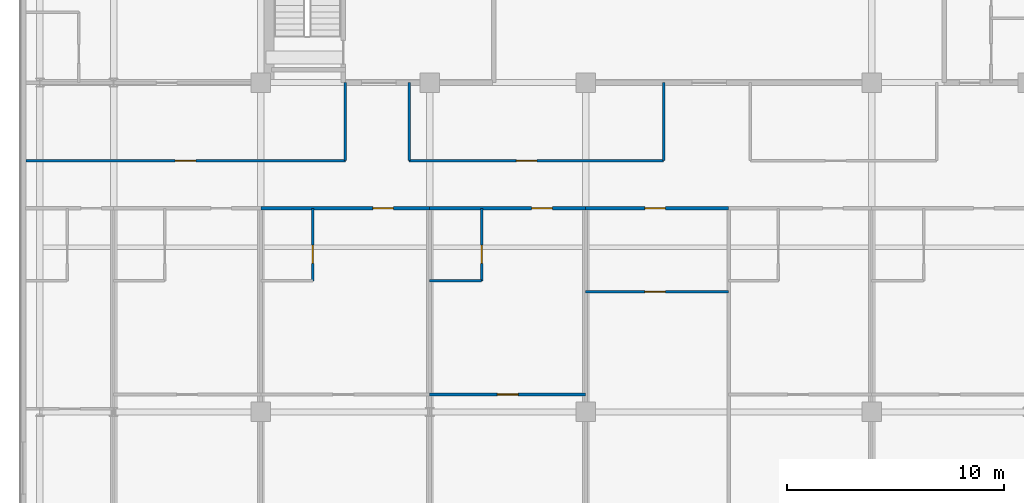
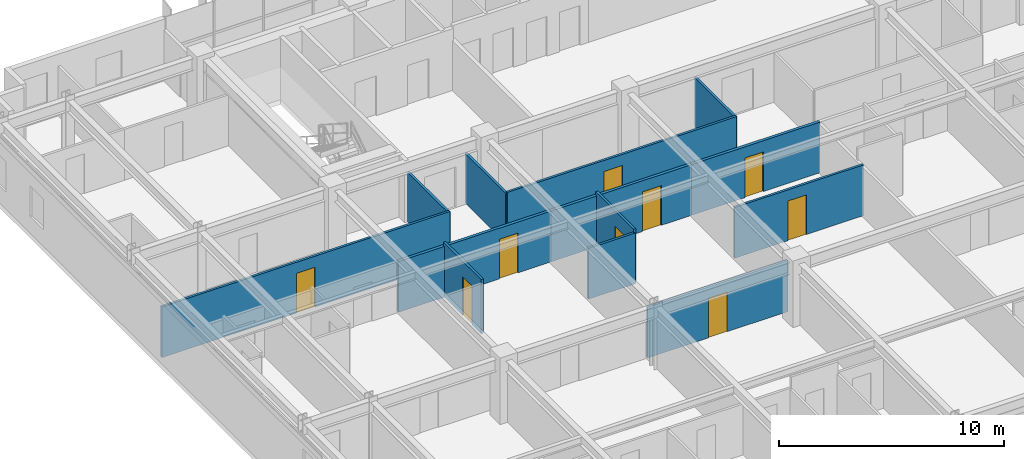
# One storey, part 16 of 24: 13 walls, 9 doors, 9 openings.
"""IFC4 building model written with IfcOpenShell, lengths in metres."""

from ifc_helpers import new_model, si_unit, direction, frame, frame_2d, origin, place, context, subcontext, project, spatial, rectangle, extrude, source, transform, mapped, material, layer, layer_set, type_object, element, fill, save


model = new_model("IFC4")

# Units and contexts
model_context = context("Model", 3, precision=1e-05, world=origin(), true_north=direction((0.0, 1.0)))
body_context = subcontext(model_context, "Body", "Model", "MODEL_VIEW")
ifc_project = project(units=[si_unit("LENGTHUNIT", "METRE"), si_unit("AREAUNIT", "SQUARE_METRE"), si_unit("VOLUMEUNIT", "CUBIC_METRE"), si_unit("PLANEANGLEUNIT", "RADIAN"), si_unit("MASSUNIT", "GRAM", prefix="KILO")], contexts=[model_context])

# Site, building, storey
site_placement = place(None, origin())
site = spatial("IfcSite", under=ifc_project, at=site_placement, CompositionType="ELEMENT")
building_placement = place(site_placement, origin())
building = spatial("IfcBuilding", under=site, at=building_placement, Name="Trelvane Seafront Commons", CompositionType="ELEMENT")
storey_placement = place(building_placement, frame((0.0, 0.0, 30.699951171875)))
storey = spatial("IfcBuildingStorey", under=building, at=storey_placement, Name="L07", CompositionType="ELEMENT", Elevation=30.699951171875)

# Wall, opening, door
ifc_material_1 = material(Name="Gypsum Drywall Acoustic Partition")
ifc_layer_1 = layer(ifc_material_1, 0.1201171875, Name="ARCH-WALL-PART120")
ifc_layer_set_1 = layer_set([ifc_layer_1], Name="Gypsum Drywall Acoustic Partition")
wall_type_1 = type_object("IfcWallType", Name="ARCH-WALL-PART120", PredefinedType="PARTITIONING", material=ifc_layer_set_1)
wall_1_placement = place(storey_placement, frame((4.75, 29.800048828125, 0.0), z_axis=(0.0, 0.0, 1.0), x_axis=(1.0, 0.0, 0.0)))
wall_1 = element("IfcWall", 1, at=wall_1_placement, inside=storey, type_object=wall_type_1, Name="W-L07-CORR-N-W-039", PredefinedType="PARTITIONING", context=body_context, shape_type="SweptSolid", body=[
    extrude(rectangle(XDim=14.75, YDim=0.1201171875, at=frame_2d((7.375, 0.0))), origin(), (0.0, 0.0, 1.0), 2.751953125),
])
opening_1_placement = place(wall_1_placement, frame((6.89990234375, 0.0, 0.0)))
opening_1 = element("IfcOpeningElement", 2, at=opening_1_placement, cuts=wall_1, Name="Opening D-L07-19", PredefinedType="OPENING", context=body_context, shape_type="SweptSolid", body=[
    extrude(rectangle(XDim=0.949951171875, YDim=2.14990234375, at=frame_2d((0.47509765625, 1.074951171875))), frame((0.0, 0.070068359375, 0.0), z_axis=(0.0, -1.0, 0.0), x_axis=(1.0, 0.0, 0.0)), (0.0, 0.0, 1.0), 0.14013671875),
])
ifc_material_2 = material(Name="Acoustic timber door leaf", Category="wood")
door_type_1 = type_object("IfcDoorType", Name="ARCH-DR-INT950", OperationType="NOTDEFINED", PredefinedType="DOOR", material=ifc_material_2)
shared_shape_1 = source(origin(), body_context, "Body", "SweptSolid", [
    extrude(rectangle(XDim=0.949951171875, YDim=2.14990234375, at=frame_2d((0.47509765625, 1.074951171875))), frame((0.0, 0.02490234375, 0.0), z_axis=(0.0, -1.0, 0.0), x_axis=(1.0, 0.0, 0.0)), (0.0, 0.0, 1.0), 0.050048828125),
])
door_1_placement = place(opening_1_placement, origin())
door_1 = element("IfcDoor", 3, at=door_1_placement, inside=storey, type_object=door_type_1, Name="L07 Door 19", OperationType="SINGLE_SWING_LEFT", OverallHeight=2.14990234375, OverallWidth=0.949951171875, PredefinedType="DOOR", context=body_context, shape_type="MappedRepresentation", body=[
    mapped(shared_shape_1, transform((0.0, 0.0, 0.0), x_axis=(1.0, 0.0, 0.0), y_axis=(0.0, 1.0, 0.0), z_axis=(0.0, 0.0, 1.0), scale=1.0)),
])
fill(opening_1, door_1)

wall_2_placement = place(storey_placement, frame((22.449951171875, 29.800048828125, 0.0), z_axis=(0.0, 0.0, 1.0), x_axis=(1.0, 0.0, 0.0)))
wall_2 = element("IfcWall", 4, at=wall_2_placement, inside=storey, type_object=wall_type_1, Name="W-L07-CORR-N-M1-040", PredefinedType="PARTITIONING", context=body_context, shape_type="SweptSolid", body=[
    extrude(rectangle(XDim=11.75, YDim=0.1201171875, at=frame_2d((5.875, 0.0))), origin(), (0.0, 0.0, 1.0), 2.751953125),
])
opening_2_placement = place(wall_2_placement, frame((4.944091796875, 0.0, 0.0)))
opening_2 = element("IfcOpeningElement", 5, at=opening_2_placement, cuts=wall_2, Name="Opening D-L07-20", PredefinedType="OPENING", context=body_context, shape_type="SweptSolid", body=[
    extrude(rectangle(XDim=0.949951171875, YDim=2.14990234375, at=frame_2d((0.47509765625, 1.074951171875))), frame((0.0, 0.070068359375, 0.0), z_axis=(0.0, -1.0, 0.0), x_axis=(1.0, 0.0, 0.0)), (0.0, 0.0, 1.0), 0.14013671875),
])
door_2_placement = place(opening_2_placement, origin())
door_2 = element("IfcDoor", 6, at=door_2_placement, inside=storey, type_object=door_type_1, Name="L07 Door 20", OperationType="SINGLE_SWING_RIGHT", OverallHeight=2.14990234375, OverallWidth=0.949951171875, PredefinedType="DOOR", context=body_context, shape_type="MappedRepresentation", body=[
    mapped(shared_shape_1, transform((0.0, 0.0, 0.0), x_axis=(1.0, 0.0, 0.0), y_axis=(0.0, 1.0, 0.0), z_axis=(0.0, 0.0, 1.0), scale=1.0)),
])
fill(opening_2, door_2)

# Walls
for number, where, z_axis, x_axis, name in (
    (7, (19.5, 29.800048828125, 0.0), (0.0, 0.0, 1.0), (0.0, 1.0, 0.0), "W-L07-N-SPUR-W1-044"),
    (8, (22.449951171875, 29.800048828125, 0.0), (0.0, 0.0, 1.0), (0.0, 1.0, 0.0), "W-L07-N-SPUR-W2-045"),
    (9, (34.199951171875, 29.800048828125, 0.0), (0.0, 0.0, 1.0), (0.0, 1.0, 0.0), "W-L07-N-SPUR-M1-046"),
):
    element("IfcWall", number, at=place(storey_placement, frame(where, z_axis=z_axis, x_axis=x_axis)), inside=storey, type_object=wall_type_1, Name=name, PredefinedType="PARTITIONING", context=body_context, shape_type="SweptSolid", body=[
        extrude(rectangle(XDim=3.599853515625, YDim=0.1201171875, at=frame_2d((1.7998046875, 0.0))), origin(), (0.0, 0.0, 1.0), 2.68994140625),
    ])

# Wall, opening, door
wall_3_placement = place(storey_placement, frame((18.0, 24.25, 0.0), z_axis=(0.0, 0.0, 1.0), x_axis=(0.0, 1.0, 0.0)))
wall_3 = element("IfcWall", 10, at=wall_3_placement, inside=storey, type_object=wall_type_1, Name="W-L07-U3-BE-087", PredefinedType="PARTITIONING", context=body_context, shape_type="SweptSolid", body=[
    extrude(rectangle(XDim=3.35009765625, YDim=0.1201171875, at=frame_2d((1.675048828125, 0.0))), origin(), (0.0, 0.0, 1.0), 2.93994140625),
])
opening_3_placement = place(wall_3_placement, frame((0.800048828125, 0.0, 0.0)))
opening_3 = element("IfcOpeningElement", 11, at=opening_3_placement, cuts=wall_3, Name="Opening D-L07-45", PredefinedType="OPENING", context=body_context, shape_type="SweptSolid", body=[
    extrude(rectangle(XDim=0.85009765625, YDim=2.10009765625, at=frame_2d((0.425048828125, 1.050048828125))), frame((0.0, 0.070068359375, 0.0), z_axis=(0.0, -1.0, 0.0), x_axis=(1.0, 0.0, 0.0)), (0.0, 0.0, 1.0), 0.14013671875),
])
door_type_2 = type_object("IfcDoorType", Name="ARCH-DR-INT850", OperationType="NOTDEFINED", PredefinedType="DOOR", material=ifc_material_2)
shared_shape_2 = source(origin(), body_context, "Body", "SweptSolid", [
    extrude(rectangle(XDim=0.85009765625, YDim=2.10009765625, at=frame_2d((0.425048828125, 1.050048828125))), frame((0.0, 0.02490234375, 0.0), z_axis=(0.0, -1.0, 0.0), x_axis=(1.0, 0.0, 0.0)), (0.0, 0.0, 1.0), 0.050048828125),
])
door_3_placement = place(opening_3_placement, origin())
door_3 = element("IfcDoor", 12, at=door_3_placement, inside=storey, type_object=door_type_2, Name="L07 Door 45", OperationType="SINGLE_SWING_LEFT", OverallHeight=2.10009765625, OverallWidth=0.85009765625, PredefinedType="DOOR", context=body_context, shape_type="MappedRepresentation", body=[
    mapped(shared_shape_2, transform((0.0, 0.0, 0.0), x_axis=(1.0, 0.0, 0.0), y_axis=(0.0, 1.0, 0.0), z_axis=(0.0, 0.0, 1.0), scale=1.0)),
])
fill(opening_3, door_3)

wall_4_placement = place(storey_placement, frame((23.39990234375, 19.0, 0.0), z_axis=(0.0, 0.0, 1.0), x_axis=(1.0, 0.0, 0.0)))
wall_4 = element("IfcWall", 13, at=wall_4_placement, inside=storey, type_object=wall_type_1, Name="W-L07-U4-KL-093", PredefinedType="PARTITIONING", context=body_context, shape_type="SweptSolid", body=[
    extrude(rectangle(XDim=7.2001953125, YDim=0.1201171875, at=frame_2d((3.60009765625, 0.0))), origin(), (0.0, 0.0, 1.0), 2.751953125),
])
opening_4_placement = place(wall_4_placement, frame((3.125, 0.0, 0.0)))
opening_4 = element("IfcOpeningElement", 14, at=opening_4_placement, cuts=wall_4, Name="Opening D-L07-49", PredefinedType="OPENING", context=body_context, shape_type="SweptSolid", body=[
    extrude(rectangle(XDim=0.949951171875, YDim=2.14990234375, at=frame_2d((0.47509765625, 1.074951171875))), frame((0.0, 0.070068359375, 0.0), z_axis=(0.0, -1.0, 0.0), x_axis=(1.0, 0.0, 0.0)), (0.0, 0.0, 1.0), 0.14013671875),
])
door_4_placement = place(opening_4_placement, origin())
door_4 = element("IfcDoor", 15, at=door_4_placement, inside=storey, type_object=door_type_1, Name="L07 Door 49", OperationType="SINGLE_SWING_LEFT", OverallHeight=2.14990234375, OverallWidth=0.949951171875, PredefinedType="DOOR", context=body_context, shape_type="MappedRepresentation", body=[
    mapped(shared_shape_1, transform((0.0, 0.0, 0.0), x_axis=(1.0, 0.0, 0.0), y_axis=(0.0, 1.0, 0.0), z_axis=(0.0, 0.0, 1.0), scale=1.0)),
])
fill(opening_4, door_4)

wall_5_placement = place(storey_placement, frame((25.800048828125, 24.25, 0.0), z_axis=(0.0, 0.0, 1.0), x_axis=(0.0, 1.0, 0.0)))
wall_5 = element("IfcWall", 16, at=wall_5_placement, inside=storey, type_object=wall_type_1, Name="W-L07-U4-BE-094", PredefinedType="PARTITIONING", context=body_context, shape_type="SweptSolid", body=[
    extrude(rectangle(XDim=3.35009765625, YDim=0.1201171875, at=frame_2d((1.675048828125, 0.0))), origin(), (0.0, 0.0, 1.0), 2.93994140625),
])
opening_5_placement = place(wall_5_placement, frame((0.800048828125, 0.0, 0.0)))
opening_5 = element("IfcOpeningElement", 17, at=opening_5_placement, cuts=wall_5, Name="Opening D-L07-50", PredefinedType="OPENING", context=body_context, shape_type="SweptSolid", body=[
    extrude(rectangle(XDim=0.85009765625, YDim=2.10009765625, at=frame_2d((0.425048828125, 1.050048828125))), frame((0.0, 0.070068359375, 0.0), z_axis=(0.0, -1.0, 0.0), x_axis=(1.0, 0.0, 0.0)), (0.0, 0.0, 1.0), 0.14013671875),
])
door_5_placement = place(opening_5_placement, origin())
door_5 = element("IfcDoor", 18, at=door_5_placement, inside=storey, type_object=door_type_2, Name="L07 Door 50", OperationType="SINGLE_SWING_RIGHT", OverallHeight=2.10009765625, OverallWidth=0.85009765625, PredefinedType="DOOR", context=body_context, shape_type="MappedRepresentation", body=[
    mapped(shared_shape_2, transform((0.0, 0.0, 0.0), x_axis=(1.0, 0.0, 0.0), y_axis=(0.0, 1.0, 0.0), z_axis=(0.0, 0.0, 1.0), scale=1.0)),
])
fill(opening_5, door_5)

# Wall
wall_6_placement = place(storey_placement, frame((23.39990234375, 24.25, 0.0), z_axis=(0.0, 0.0, 1.0), x_axis=(1.0, 0.0, 0.0)))
element("IfcWall", 19, at=wall_6_placement, inside=storey, type_object=wall_type_1, Name="W-L07-U4-BS-095", PredefinedType="PARTITIONING", context=body_context, shape_type="SweptSolid", body=[
    extrude(rectangle(XDim=2.400146484375, YDim=0.1201171875, at=frame_2d((1.2001953125, 0.0))), origin(), (0.0, 0.0, 1.0), 2.751953125),
])

# Wall, opening, door
wall_7_placement = place(storey_placement, frame((30.60009765625, 23.75, 0.0), z_axis=(0.0, 0.0, 1.0), x_axis=(1.0, 0.0, 0.0)))
wall_7 = element("IfcWall", 20, at=wall_7_placement, inside=storey, type_object=wall_type_1, Name="W-L07-U5-DIV-103", PredefinedType="PARTITIONING", context=body_context, shape_type="SweptSolid", body=[
    extrude(rectangle(XDim=6.599853515625, YDim=0.1201171875, at=frame_2d((3.2998046875, 0.0))), origin(), (0.0, 0.0, 1.0), 2.751953125),
])
opening_6_placement = place(wall_7_placement, frame((2.73388671875, 0.0, 0.0)))
opening_6 = element("IfcOpeningElement", 21, at=opening_6_placement, cuts=wall_7, Name="Opening D-L07-56", PredefinedType="OPENING", context=body_context, shape_type="SweptSolid", body=[
    extrude(rectangle(XDim=0.949951171875, YDim=2.14990234375, at=frame_2d((0.47509765625, 1.074951171875))), frame((0.0, 0.070068359375, 0.0), z_axis=(0.0, -1.0, 0.0), x_axis=(1.0, 0.0, 0.0)), (0.0, 0.0, 1.0), 0.14013671875),
])
door_6_placement = place(opening_6_placement, origin())
door_6 = element("IfcDoor", 22, at=door_6_placement, inside=storey, type_object=door_type_1, Name="L07 Door 56", OperationType="SINGLE_SWING_RIGHT", OverallHeight=2.14990234375, OverallWidth=0.949951171875, PredefinedType="DOOR", context=body_context, shape_type="MappedRepresentation", body=[
    mapped(shared_shape_1, transform((0.0, 0.0, 0.0), x_axis=(1.0, 0.0, 0.0), y_axis=(0.0, 1.0, 0.0), z_axis=(0.0, 0.0, 1.0), scale=1.0)),
])
fill(opening_6, door_6)

ifc_layer_2 = layer(ifc_material_1, 0.14990234375, Name="ARCH-WALL-PART150")
ifc_layer_set_2 = layer_set([ifc_layer_2], Name="Gypsum Drywall Acoustic Partition")
wall_type_2 = type_object("IfcWallType", Name="ARCH-WALL-PART150", PredefinedType="PARTITIONING", material=ifc_layer_set_2)
wall_8_placement = place(storey_placement, frame((15.60009765625, 27.60009765625, 0.0), z_axis=(0.0, 0.0, 1.0), x_axis=(1.0, 0.0, 0.0)))
wall_8 = element("IfcWall", 23, at=wall_8_placement, inside=storey, type_object=wall_type_2, Name="W-L07-CS-BAY-3-089", PredefinedType="PARTITIONING", context=body_context, shape_type="SweptSolid", body=[
    extrude(rectangle(XDim=7.7998046875, YDim=0.14990234375, at=frame_2d((3.89990234375, 0.0))), origin(), (0.0, 0.0, 1.0), 2.751953125),
])
opening_7_placement = place(wall_8_placement, frame((5.172119140625, 0.0, 0.0)))
opening_7 = element("IfcOpeningElement", 24, at=opening_7_placement, cuts=wall_8, Name="Opening FD-L07-46", PredefinedType="OPENING", context=body_context, shape_type="SweptSolid", body=[
    extrude(rectangle(XDim=0.949951171875, YDim=2.14990234375, at=frame_2d((0.47509765625, 1.074951171875))), frame((0.0, 0.0849609375, 0.0), z_axis=(0.0, -1.0, 0.0), x_axis=(1.0, 0.0, 0.0)), (0.0, 0.0, 1.0), 0.169921875),
])
ifc_material_3 = material(Name="Powder-coated aluminium frame", Category="aluminium")
door_type_3 = type_object("IfcDoorType", Name="ARCH-DR-FD60-950", OperationType="NOTDEFINED", PredefinedType="DOOR", material=ifc_material_3)
door_7_placement = place(opening_7_placement, origin())
door_7 = element("IfcDoor", 25, at=door_7_placement, inside=storey, type_object=door_type_3, Name="L07 Unit 03 Entrance Door", OperationType="SINGLE_SWING_RIGHT", OverallHeight=2.14990234375, OverallWidth=0.949951171875, PredefinedType="DOOR", context=body_context, shape_type="MappedRepresentation", body=[
    mapped(shared_shape_1, transform((0.0, 0.0, 0.0), x_axis=(1.0, 0.0, 0.0), y_axis=(0.0, 1.0, 0.0), z_axis=(0.0, 0.0, 1.0), scale=1.0)),
])
fill(opening_7, door_7)

wall_9_placement = place(storey_placement, frame((23.39990234375, 27.60009765625, 0.0), z_axis=(0.0, 0.0, 1.0), x_axis=(1.0, 0.0, 0.0)))
wall_9 = element("IfcWall", 26, at=wall_9_placement, inside=storey, type_object=wall_type_2, Name="W-L07-CS-BAY-4-096", PredefinedType="PARTITIONING", context=body_context, shape_type="SweptSolid", body=[
    extrude(rectangle(XDim=7.2001953125, YDim=0.14990234375, at=frame_2d((3.60009765625, 0.0))), origin(), (0.0, 0.0, 1.0), 2.751953125),
])
opening_8_placement = place(wall_9_placement, frame((4.7060546875, 0.0, 0.0)))
opening_8 = element("IfcOpeningElement", 27, at=opening_8_placement, cuts=wall_9, Name="Opening FD-L07-51", PredefinedType="OPENING", context=body_context, shape_type="SweptSolid", body=[
    extrude(rectangle(XDim=0.949951171875, YDim=2.14990234375, at=frame_2d((0.47509765625, 1.074951171875))), frame((0.0, 0.0849609375, 0.0), z_axis=(0.0, -1.0, 0.0), x_axis=(1.0, 0.0, 0.0)), (0.0, 0.0, 1.0), 0.169921875),
])
door_8_placement = place(opening_8_placement, origin())
door_8 = element("IfcDoor", 28, at=door_8_placement, inside=storey, type_object=door_type_3, Name="L07 Unit 04 Entrance Door", OperationType="SINGLE_SWING_LEFT", OverallHeight=2.14990234375, OverallWidth=0.949951171875, PredefinedType="DOOR", context=body_context, shape_type="MappedRepresentation", body=[
    mapped(shared_shape_1, transform((0.0, 0.0, 0.0), x_axis=(1.0, 0.0, 0.0), y_axis=(0.0, 1.0, 0.0), z_axis=(0.0, 0.0, 1.0), scale=1.0)),
])
fill(opening_8, door_8)

wall_10_placement = place(storey_placement, frame((30.60009765625, 27.60009765625, 0.0), z_axis=(0.0, 0.0, 1.0), x_axis=(1.0, 0.0, 0.0)))
wall_10 = element("IfcWall", 29, at=wall_10_placement, inside=storey, type_object=wall_type_2, Name="W-L07-CS-BAY-5-102", PredefinedType="PARTITIONING", context=body_context, shape_type="SweptSolid", body=[
    extrude(rectangle(XDim=6.599853515625, YDim=0.14990234375, at=frame_2d((3.2998046875, 0.0))), origin(), (0.0, 0.0, 1.0), 2.751953125),
])
opening_9_placement = place(wall_10_placement, frame((2.73388671875, 0.0, 0.0)))
opening_9 = element("IfcOpeningElement", 30, at=opening_9_placement, cuts=wall_10, Name="Opening FD-L07-55", PredefinedType="OPENING", context=body_context, shape_type="SweptSolid", body=[
    extrude(rectangle(XDim=0.949951171875, YDim=2.14990234375, at=frame_2d((0.47509765625, 1.074951171875))), frame((0.0, 0.0849609375, 0.0), z_axis=(0.0, -1.0, 0.0), x_axis=(1.0, 0.0, 0.0)), (0.0, 0.0, 1.0), 0.169921875),
])
door_9_placement = place(opening_9_placement, origin())
door_9 = element("IfcDoor", 31, at=door_9_placement, inside=storey, type_object=door_type_3, Name="L07 Bay 05 Entrance Door", OperationType="SINGLE_SWING_LEFT", OverallHeight=2.14990234375, OverallWidth=0.949951171875, PredefinedType="DOOR", context=body_context, shape_type="MappedRepresentation", body=[
    mapped(shared_shape_1, transform((0.0, 0.0, 0.0), x_axis=(1.0, 0.0, 0.0), y_axis=(0.0, 1.0, 0.0), z_axis=(0.0, 0.0, 1.0), scale=1.0)),
])
fill(opening_9, door_9)

save(model, "model.ifc")
